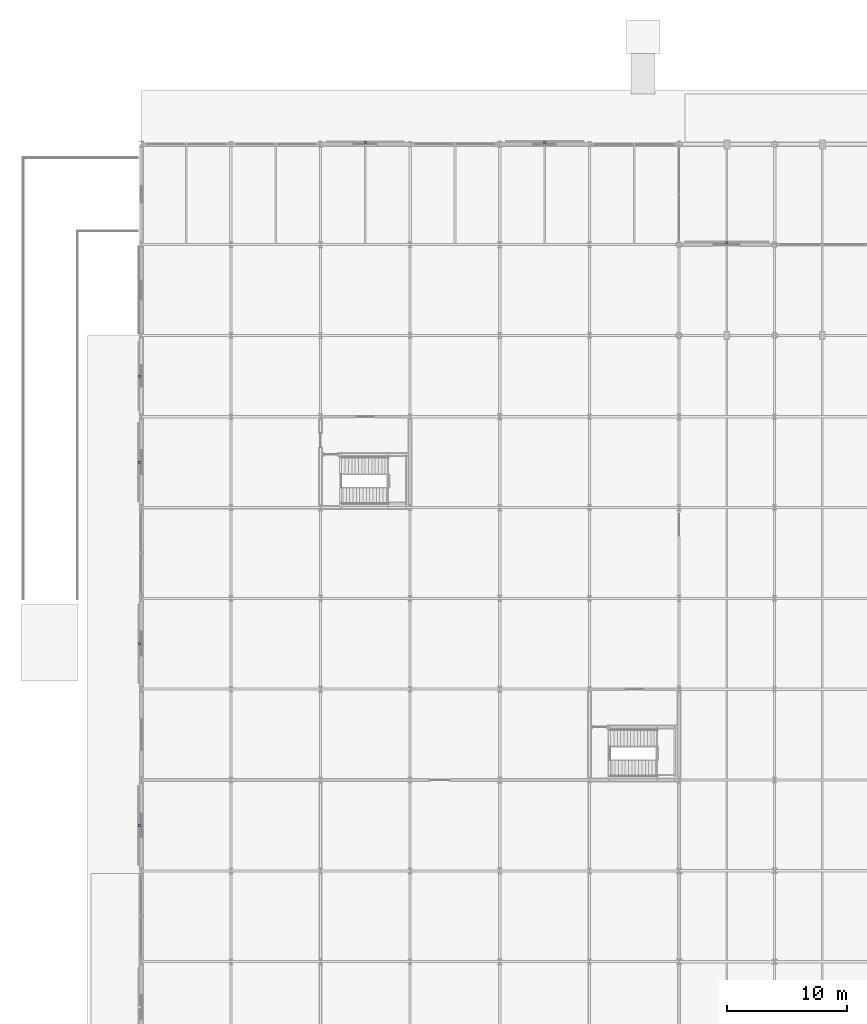
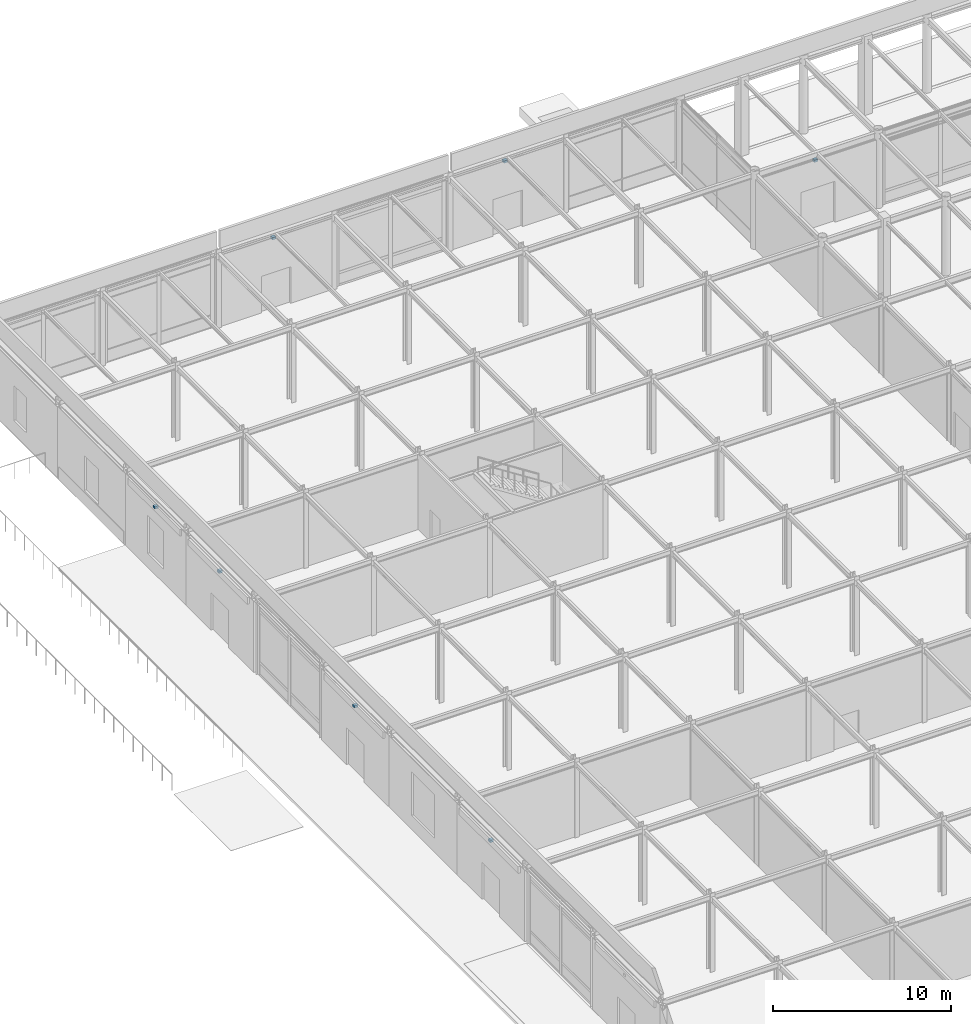
# One storey, part 78 of 89: 7 discrete accessories.
"""IFC4 building model written with IfcOpenShell, lengths in metres."""

from ifc_helpers import new_model, si_unit, direction, frame, origin, origin_2d, place, context, subcontext, project, spatial, rectangle, extrude, material, type_object, element, save


model = new_model("IFC4")

# Units and contexts
model_context = context("Model", 3, precision=1e-05, world=origin(), true_north=direction((0.0, 1.0)))
body_context = subcontext(model_context, "Body", "Model", "MODEL_VIEW")
ifc_project = project(units=[si_unit("LENGTHUNIT", "METRE"), si_unit("AREAUNIT", "SQUARE_METRE"), si_unit("VOLUMEUNIT", "CUBIC_METRE"), si_unit("PLANEANGLEUNIT", "RADIAN"), si_unit("MASSUNIT", "GRAM", prefix="KILO")], contexts=[model_context])

# Site, building, storey
site_placement = place(None, origin())
site = spatial("IfcSite", under=ifc_project, at=site_placement, CompositionType="ELEMENT")
building_placement = place(site_placement, origin())
building = spatial("IfcBuilding", under=site, at=building_placement, Name="Shalkamar Park Central Library", CompositionType="ELEMENT")
storey_placement = place(building_placement, origin())
storey = spatial("IfcBuildingStorey", under=building, at=storey_placement, Name="L01", CompositionType="ELEMENT", Elevation=0.0)

# Discrete accessories
ifc_material = material(Name="Steel S355", Category="steel")
discrete_accessory_type = type_object("IfcDiscreteAccessoryType", Name="Stainless Facade Bracket", PredefinedType="BRACKET", material=ifc_material)
for number, where, z_axis, x_axis, name in (
    (1, (138.75, 354.159912109375, 4.5732421875), (0.0, 0.0, 1.0), (1.0, 0.0, 0.0), "Frieze Fixing Bracket L01-007"),
    (2, (153.75, 354.159912109375, 4.5732421875), (0.0, 0.0, 1.0), (1.0, 0.0, 0.0), "Frieze Fixing Bracket L01-008"),
    (3, (169.0, 345.760009765625, 4.3828125), (0.0, 0.0, 1.0), (1.0, 0.0, 0.0), "Frieze Fixing Bracket L01-009"),
    (4, (119.840087890625, 297.0, 4.5732421875), (0.0, 0.0, 1.0), (1.0, 0.0, 0.0), "Frieze Fixing Bracket L01-020"),
    (5, (119.840087890625, 312.199951171875, 4.5732421875), (0.0, 0.0, 1.0), (1.0, 0.0, 0.0), "Frieze Fixing Bracket L01-021"),
    (6, (119.840087890625, 327.39990234375, 4.5732421875), (0.0, 0.0, 1.0), (1.0, 0.0, 0.0), "Frieze Fixing Bracket L01-022"),
    (7, (119.840087890625, 334.60009765625, 4.61328125), (0.0, 0.0, 1.0), (1.0, 0.0, 0.0), "Frieze Fixing Bracket L01-023"),
):
    element("IfcDiscreteAccessory", number, at=place(storey_placement, frame(where, z_axis=z_axis, x_axis=x_axis)), inside=storey, type_object=discrete_accessory_type, Name=name, PredefinedType="BRACKET", context=body_context, shape_type="SweptSolid", body=[
        extrude(rectangle(XDim=0.219970703125, YDim=0.219970703125, at=origin_2d()), origin(), (0.0, 0.0, 1.0), 0.159912109375),
    ])

save(model, "model.ifc")
